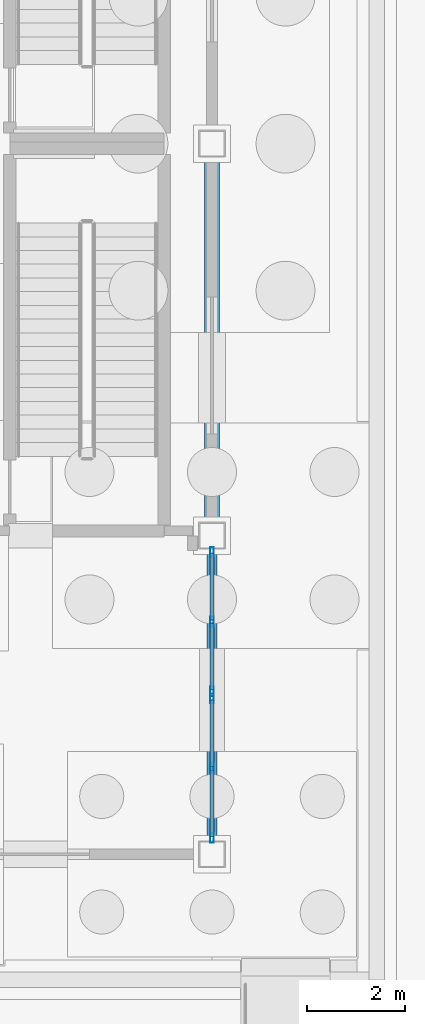
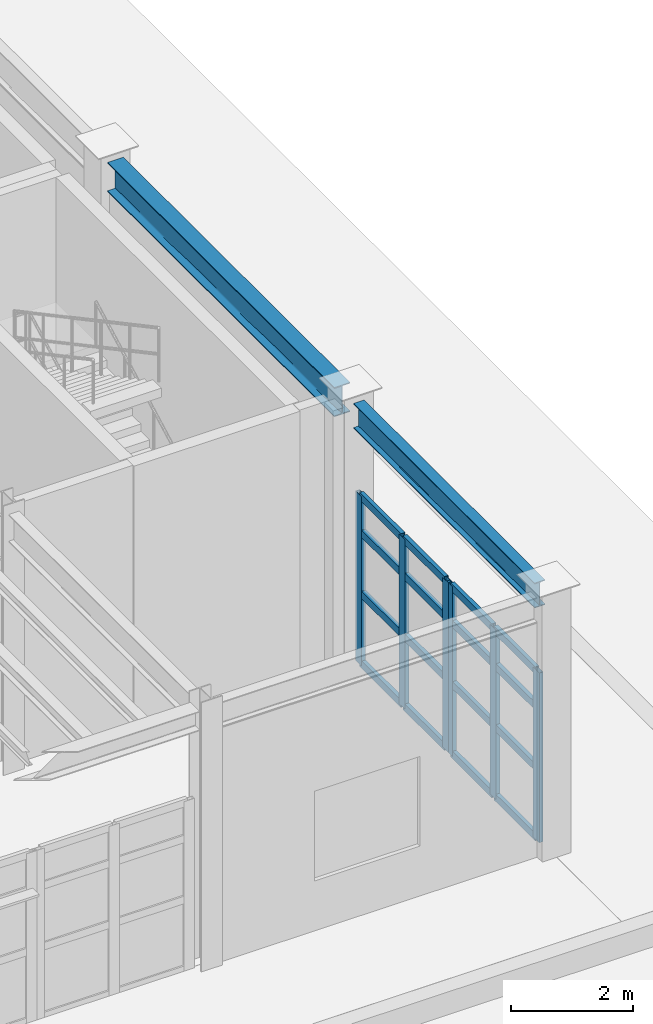
# One storey, part 41 of 86: 22 members, 2 beams, 2 elements without a shape of their own.
"""IFC4 building model written with IfcOpenShell, lengths in metres."""

from ifc_helpers import new_model, si_unit, direction, frame, origin, origin_2d, place, context, subcontext, project, spatial, hollow_rectangle, i_section, extrude, material, material_profile, profile_set, type_object, element, aggregate, save


model = new_model("IFC4")

# Units and contexts
model_context = context("Model", 3, precision=1e-05, world=origin(), true_north=direction((0.0, 1.0)))
body_context = subcontext(model_context, "Body", "Model", "MODEL_VIEW")
ifc_project = project(units=[si_unit("LENGTHUNIT", "METRE"), si_unit("AREAUNIT", "SQUARE_METRE"), si_unit("VOLUMEUNIT", "CUBIC_METRE"), si_unit("PLANEANGLEUNIT", "RADIAN"), si_unit("MASSUNIT", "GRAM", prefix="KILO"), si_unit("THERMODYNAMICTEMPERATUREUNIT", "KELVIN"), si_unit("POWERUNIT", "WATT")], contexts=[model_context])

# Site, building, storey
site_placement = place(None, origin())
site = spatial("IfcSite", under=ifc_project, at=site_placement, CompositionType="ELEMENT")
building_placement = place(site_placement, origin())
building = spatial("IfcBuilding", under=site, at=building_placement, Name="Zhenchuan Central Fire Station", CompositionType="ELEMENT")
storey_placement = place(building_placement, frame((0.0, 0.0, 0.449951171875)))
storey = spatial("IfcBuildingStorey", under=building, at=storey_placement, Name="L01", CompositionType="ELEMENT", Elevation=0.449951171875)

# Beam
ifc_material_1 = material(Name="Steel Q355B", Category="steel")
ifc_material_profile_1 = material_profile(ifc_material_1, i_section(OverallWidth=0.300048828125, OverallDepth=0.587890625, WebThickness=0.011962890625, FlangeThickness=0.02001953125, FilletRadius=0.02392578125, at=origin_2d()), Name="HM 588x300")
ifc_profile_set_1 = profile_set([ifc_material_profile_1], Name="Steel Q355B")
beam_type_1 = type_object("IfcBeamType", Name="BM-HM588-EXT", PredefinedType="BEAM", material=ifc_profile_set_1)
beam_1_placement = place(storey_placement, frame((161.0, 6.77490234375, 4.906005859375), z_axis=(0.0, 1.0, 0.0), x_axis=(-1.0, 0.0, 0.0)))
element("IfcBeam", 1, at=beam_1_placement, inside=storey, type_object=beam_type_1, Name="L02 Girder NS 0176", PredefinedType="BEAM", context=body_context, shape_type="SweptSolid", body=[
    extrude(i_section(OverallWidth=0.300048828125, OverallDepth=0.587890625, WebThickness=0.011962890625, FlangeThickness=0.02001953125, FilletRadius=0.02392578125, at=origin_2d()), origin(), (0.0, 0.0, 1.0), 7.4501953125),
])

# Curtain wall, members
ifc_material_2 = material(Name="Anodised aluminium and low-E glazing", Category="aluminium")
curtain_wall_type_1 = type_object("IfcCurtainWallType", Name="CW-MOD-01", PredefinedType="USERDEFINED", material=ifc_material_2)
curtain_wall_1_placement = place(storey_placement, origin())
curtain_wall_1 = element("IfcCurtainWall", 2, at=curtain_wall_1_placement, inside=storey, type_object=curtain_wall_type_1, Name="L01 Unitised Curtain Wall 074", ObjectType="UNITISED GLAZING", PredefinedType="USERDEFINED")
ifc_material_3 = material(Name="Anodised aluminium EN AW-6063", Category="aluminium")
ifc_material_profile_2 = material_profile(ifc_material_3, hollow_rectangle(XDim=0.074951171875, YDim=0.199951171875, WallThickness=0.0048828125, at=origin_2d()), Name="ALU-M 200x75")
ifc_profile_set_2 = profile_set([ifc_material_profile_2], Name="Anodised aluminium EN AW-6063")
member_type_1 = type_object("IfcMemberType", Name="CW-MUL160", PredefinedType="MULLION", material=ifc_profile_set_2)
member_1_placement = place(storey_placement, frame((161.0, 0.33251953125, -0.00390625), z_axis=(0.0, 0.0, 1.0), x_axis=(-1.0, 0.0, 0.0)))
member_1 = element("IfcMember", 3, at=member_1_placement, type_object=member_type_1, Name="CW-01 mullion 1", PredefinedType="MULLION", context=body_context, shape_type="SweptSolid", body=[
    extrude(hollow_rectangle(XDim=0.074951171875, YDim=0.199951171875, WallThickness=0.0048828125, at=origin_2d()), origin(), (0.0, 0.0, 1.0), 3.404052734375),
])
member_2_placement = place(storey_placement, frame((161.0, 1.756103515625, -0.00390625), z_axis=(0.0, 0.0, 1.0), x_axis=(-1.0, 0.0, 0.0)))
member_2 = element("IfcMember", 4, at=member_2_placement, type_object=member_type_1, Name="CW-01 mullion 2", PredefinedType="MULLION", context=body_context, shape_type="SweptSolid", body=[
    extrude(hollow_rectangle(XDim=0.074951171875, YDim=0.199951171875, WallThickness=0.0048828125, at=origin_2d()), origin(), (0.0, 0.0, 1.0), 3.404052734375),
])
member_3_placement = place(storey_placement, frame((161.0, 3.179443359375, -0.00390625), z_axis=(0.0, 0.0, 1.0), x_axis=(-1.0, 0.0, 0.0)))
member_3 = element("IfcMember", 5, at=member_3_placement, type_object=member_type_1, Name="CW-01 mullion 3", PredefinedType="MULLION", context=body_context, shape_type="SweptSolid", body=[
    extrude(hollow_rectangle(XDim=0.074951171875, YDim=0.199951171875, WallThickness=0.0048828125, at=origin_2d()), origin(), (0.0, 0.0, 1.0), 3.404052734375),
])

curtain_wall_type_2 = type_object("IfcCurtainWallType", Name="CW-MOD-02", PredefinedType="USERDEFINED", material=ifc_material_2)
curtain_wall_2_placement = place(storey_placement, origin())
curtain_wall_2 = element("IfcCurtainWall", 6, at=curtain_wall_2_placement, inside=storey, type_object=curtain_wall_type_2, Name="L01 Unitised Curtain Wall 075", ObjectType="UNITISED GLAZING", PredefinedType="USERDEFINED")
member_4_placement = place(storey_placement, frame((161.0, 3.320556640625, -0.00390625), z_axis=(0.0, 0.0, 1.0), x_axis=(-1.0, 0.0, 0.0)))
member_4 = element("IfcMember", 7, at=member_4_placement, type_object=member_type_1, Name="CW-02 mullion 1", PredefinedType="MULLION", context=body_context, shape_type="SweptSolid", body=[
    extrude(hollow_rectangle(XDim=0.074951171875, YDim=0.199951171875, WallThickness=0.0048828125, at=origin_2d()), origin(), (0.0, 0.0, 1.0), 3.404052734375),
])
member_5_placement = place(storey_placement, frame((161.0, 4.743896484375, -0.00390625), z_axis=(0.0, 0.0, 1.0), x_axis=(-1.0, 0.0, 0.0)))
member_5 = element("IfcMember", 8, at=member_5_placement, type_object=member_type_1, Name="CW-02 mullion 2", PredefinedType="MULLION", context=body_context, shape_type="SweptSolid", body=[
    extrude(hollow_rectangle(XDim=0.074951171875, YDim=0.199951171875, WallThickness=0.0048828125, at=origin_2d()), origin(), (0.0, 0.0, 1.0), 3.404052734375),
])
member_6_placement = place(storey_placement, frame((161.0, 6.16748046875, -0.00390625), z_axis=(0.0, 0.0, 1.0), x_axis=(-1.0, 0.0, 0.0)))
member_6 = element("IfcMember", 9, at=member_6_placement, type_object=member_type_1, Name="CW-02 mullion 3", PredefinedType="MULLION", context=body_context, shape_type="SweptSolid", body=[
    extrude(hollow_rectangle(XDim=0.074951171875, YDim=0.199951171875, WallThickness=0.0048828125, at=origin_2d()), origin(), (0.0, 0.0, 1.0), 3.404052734375),
])

# Member
ifc_material_profile_3 = material_profile(ifc_material_3, hollow_rectangle(XDim=0.074951171875, YDim=0.14990234375, WallThickness=0.0048828125, at=origin_2d()), Name="ALU-T 150x75")
ifc_profile_set_3 = profile_set([ifc_material_profile_3], Name="Anodised aluminium EN AW-6063")
member_type_2 = type_object("IfcMemberType", Name="CW-TRN130", PredefinedType="NOTDEFINED", material=ifc_profile_set_3)
member_7_placement = place(storey_placement, frame((161.0, 0.364990234375, 0.028564453125), z_axis=(0.0, 1.0, 0.0), x_axis=(-1.0, 0.0, 0.0)))
member_7 = element("IfcMember", 10, at=member_7_placement, type_object=member_type_2, Name="CW-01 transom 1.1", ObjectType="TRANSOM", PredefinedType="USERDEFINED", context=body_context, shape_type="SweptSolid", body=[
    extrude(hollow_rectangle(XDim=0.074951171875, YDim=0.14990234375, WallThickness=0.0048828125, at=origin_2d()), origin(), (0.0, 0.0, 1.0), 1.3583984375),
])

member_8_placement = place(storey_placement, frame((161.0, 0.364990234375, 1.427978515625), z_axis=(0.0, 1.0, 0.0), x_axis=(-1.0, 0.0, 0.0)))
member_8 = element("IfcMember", 11, at=member_8_placement, type_object=member_type_2, Name="CW-01 transom 1.2", ObjectType="TRANSOM", PredefinedType="USERDEFINED", context=body_context, shape_type="SweptSolid", body=[
    extrude(hollow_rectangle(XDim=0.074951171875, YDim=0.14990234375, WallThickness=0.0048828125, at=origin_2d()), origin(), (0.0, 0.0, 1.0), 1.3583984375),
])

member_9_placement = place(storey_placement, frame((161.0, 0.364990234375, 2.652099609375), z_axis=(0.0, 1.0, 0.0), x_axis=(-1.0, 0.0, 0.0)))
member_9 = element("IfcMember", 12, at=member_9_placement, type_object=member_type_2, Name="CW-01 transom 1.3", ObjectType="TRANSOM", PredefinedType="USERDEFINED", context=body_context, shape_type="SweptSolid", body=[
    extrude(hollow_rectangle(XDim=0.074951171875, YDim=0.14990234375, WallThickness=0.0048828125, at=origin_2d()), origin(), (0.0, 0.0, 1.0), 1.3583984375),
])

member_10_placement = place(storey_placement, frame((161.0, 0.364990234375, 3.367431640625), z_axis=(0.0, 1.0, 0.0), x_axis=(-1.0, 0.0, 0.0)))
member_10 = element("IfcMember", 13, at=member_10_placement, type_object=member_type_2, Name="CW-01 transom 1.4", ObjectType="TRANSOM", PredefinedType="USERDEFINED", context=body_context, shape_type="SweptSolid", body=[
    extrude(hollow_rectangle(XDim=0.074951171875, YDim=0.14990234375, WallThickness=0.0048828125, at=origin_2d()), origin(), (0.0, 0.0, 1.0), 1.3583984375),
])

member_11_placement = place(storey_placement, frame((161.0, 1.78857421875, 0.028564453125), z_axis=(0.0, 1.0, 0.0), x_axis=(-1.0, 0.0, 0.0)))
member_11 = element("IfcMember", 14, at=member_11_placement, type_object=member_type_2, Name="CW-01 transom 2.1", ObjectType="TRANSOM", PredefinedType="USERDEFINED", context=body_context, shape_type="SweptSolid", body=[
    extrude(hollow_rectangle(XDim=0.074951171875, YDim=0.14990234375, WallThickness=0.0048828125, at=origin_2d()), origin(), (0.0, 0.0, 1.0), 1.3583984375),
])

member_12_placement = place(storey_placement, frame((161.0, 1.78857421875, 1.427978515625), z_axis=(0.0, 1.0, 0.0), x_axis=(-1.0, 0.0, 0.0)))
member_12 = element("IfcMember", 15, at=member_12_placement, type_object=member_type_2, Name="CW-01 transom 2.2", ObjectType="TRANSOM", PredefinedType="USERDEFINED", context=body_context, shape_type="SweptSolid", body=[
    extrude(hollow_rectangle(XDim=0.074951171875, YDim=0.14990234375, WallThickness=0.0048828125, at=origin_2d()), origin(), (0.0, 0.0, 1.0), 1.3583984375),
])

member_13_placement = place(storey_placement, frame((161.0, 1.78857421875, 2.652099609375), z_axis=(0.0, 1.0, 0.0), x_axis=(-1.0, 0.0, 0.0)))
member_13 = element("IfcMember", 16, at=member_13_placement, type_object=member_type_2, Name="CW-01 transom 2.3", ObjectType="TRANSOM", PredefinedType="USERDEFINED", context=body_context, shape_type="SweptSolid", body=[
    extrude(hollow_rectangle(XDim=0.074951171875, YDim=0.14990234375, WallThickness=0.0048828125, at=origin_2d()), origin(), (0.0, 0.0, 1.0), 1.3583984375),
])

member_14_placement = place(storey_placement, frame((161.0, 1.78857421875, 3.367431640625), z_axis=(0.0, 1.0, 0.0), x_axis=(-1.0, 0.0, 0.0)))
member_14 = element("IfcMember", 17, at=member_14_placement, type_object=member_type_2, Name="CW-01 transom 2.4", ObjectType="TRANSOM", PredefinedType="USERDEFINED", context=body_context, shape_type="SweptSolid", body=[
    extrude(hollow_rectangle(XDim=0.074951171875, YDim=0.14990234375, WallThickness=0.0048828125, at=origin_2d()), origin(), (0.0, 0.0, 1.0), 1.3583984375),
])

aggregate(curtain_wall_1, [member_1, member_2, member_3, member_7, member_8, member_9, member_10, member_11, member_12, member_13, member_14])

member_15_placement = place(storey_placement, frame((161.0, 3.35302734375, 0.028564453125), z_axis=(0.0, 1.0, 0.0), x_axis=(-1.0, 0.0, 0.0)))
member_15 = element("IfcMember", 18, at=member_15_placement, type_object=member_type_2, Name="CW-02 transom 1.1", ObjectType="TRANSOM", PredefinedType="USERDEFINED", context=body_context, shape_type="SweptSolid", body=[
    extrude(hollow_rectangle(XDim=0.074951171875, YDim=0.14990234375, WallThickness=0.0048828125, at=origin_2d()), origin(), (0.0, 0.0, 1.0), 1.3583984375),
])

member_16_placement = place(storey_placement, frame((161.0, 3.35302734375, 1.427978515625), z_axis=(0.0, 1.0, 0.0), x_axis=(-1.0, 0.0, 0.0)))
member_16 = element("IfcMember", 19, at=member_16_placement, type_object=member_type_2, Name="CW-02 transom 1.2", ObjectType="TRANSOM", PredefinedType="USERDEFINED", context=body_context, shape_type="SweptSolid", body=[
    extrude(hollow_rectangle(XDim=0.074951171875, YDim=0.14990234375, WallThickness=0.0048828125, at=origin_2d()), origin(), (0.0, 0.0, 1.0), 1.3583984375),
])

member_17_placement = place(storey_placement, frame((161.0, 3.35302734375, 2.652099609375), z_axis=(0.0, 1.0, 0.0), x_axis=(-1.0, 0.0, 0.0)))
member_17 = element("IfcMember", 20, at=member_17_placement, type_object=member_type_2, Name="CW-02 transom 1.3", ObjectType="TRANSOM", PredefinedType="USERDEFINED", context=body_context, shape_type="SweptSolid", body=[
    extrude(hollow_rectangle(XDim=0.074951171875, YDim=0.14990234375, WallThickness=0.0048828125, at=origin_2d()), origin(), (0.0, 0.0, 1.0), 1.3583984375),
])

member_18_placement = place(storey_placement, frame((161.0, 3.35302734375, 3.367431640625), z_axis=(0.0, 1.0, 0.0), x_axis=(-1.0, 0.0, 0.0)))
member_18 = element("IfcMember", 21, at=member_18_placement, type_object=member_type_2, Name="CW-02 transom 1.4", ObjectType="TRANSOM", PredefinedType="USERDEFINED", context=body_context, shape_type="SweptSolid", body=[
    extrude(hollow_rectangle(XDim=0.074951171875, YDim=0.14990234375, WallThickness=0.0048828125, at=origin_2d()), origin(), (0.0, 0.0, 1.0), 1.3583984375),
])

member_19_placement = place(storey_placement, frame((161.0, 4.776611328125, 0.028564453125), z_axis=(0.0, 1.0, 0.0), x_axis=(-1.0, 0.0, 0.0)))
member_19 = element("IfcMember", 22, at=member_19_placement, type_object=member_type_2, Name="CW-02 transom 2.1", ObjectType="TRANSOM", PredefinedType="USERDEFINED", context=body_context, shape_type="SweptSolid", body=[
    extrude(hollow_rectangle(XDim=0.074951171875, YDim=0.14990234375, WallThickness=0.0048828125, at=origin_2d()), origin(), (0.0, 0.0, 1.0), 1.3583984375),
])

member_20_placement = place(storey_placement, frame((161.0, 4.776611328125, 1.427978515625), z_axis=(0.0, 1.0, 0.0), x_axis=(-1.0, 0.0, 0.0)))
member_20 = element("IfcMember", 23, at=member_20_placement, type_object=member_type_2, Name="CW-02 transom 2.2", ObjectType="TRANSOM", PredefinedType="USERDEFINED", context=body_context, shape_type="SweptSolid", body=[
    extrude(hollow_rectangle(XDim=0.074951171875, YDim=0.14990234375, WallThickness=0.0048828125, at=origin_2d()), origin(), (0.0, 0.0, 1.0), 1.3583984375),
])

member_21_placement = place(storey_placement, frame((161.0, 4.776611328125, 2.652099609375), z_axis=(0.0, 1.0, 0.0), x_axis=(-1.0, 0.0, 0.0)))
member_21 = element("IfcMember", 24, at=member_21_placement, type_object=member_type_2, Name="CW-02 transom 2.3", ObjectType="TRANSOM", PredefinedType="USERDEFINED", context=body_context, shape_type="SweptSolid", body=[
    extrude(hollow_rectangle(XDim=0.074951171875, YDim=0.14990234375, WallThickness=0.0048828125, at=origin_2d()), origin(), (0.0, 0.0, 1.0), 1.3583984375),
])

member_22_placement = place(storey_placement, frame((161.0, 4.776611328125, 3.367431640625), z_axis=(0.0, 1.0, 0.0), x_axis=(-1.0, 0.0, 0.0)))
member_22 = element("IfcMember", 25, at=member_22_placement, type_object=member_type_2, Name="CW-02 transom 2.4", ObjectType="TRANSOM", PredefinedType="USERDEFINED", context=body_context, shape_type="SweptSolid", body=[
    extrude(hollow_rectangle(XDim=0.074951171875, YDim=0.14990234375, WallThickness=0.0048828125, at=origin_2d()), origin(), (0.0, 0.0, 1.0), 1.3583984375),
])

aggregate(curtain_wall_2, [member_4, member_5, member_6, member_15, member_16, member_17, member_18, member_19, member_20, member_21, member_22])

# Beam
ifc_material_profile_4 = material_profile(ifc_material_1, i_section(OverallWidth=0.199951171875, OverallDepth=0.5, WebThickness=0.010009765625, FlangeThickness=0.01611328125, FilletRadius=0.02001953125, at=origin_2d()), Name="HN 500x200")
ifc_profile_set_4 = profile_set([ifc_material_profile_4], Name="Steel Q355B")
beam_type_2 = type_object("IfcBeamType", Name="SP-HN500", PredefinedType="SPANDREL", material=ifc_profile_set_4)
beam_2_placement = place(storey_placement, frame((161.0, 0.27490234375, 4.949951171875), z_axis=(0.0, 1.0, 0.0), x_axis=(-1.0, 0.0, 0.0)))
element("IfcBeam", 26, at=beam_2_placement, inside=storey, type_object=beam_type_2, Name="L02 Girder NS 0175", PredefinedType="SPANDREL", context=body_context, shape_type="SweptSolid", body=[
    extrude(i_section(OverallWidth=0.199951171875, OverallDepth=0.5, WebThickness=0.010009765625, FlangeThickness=0.01611328125, FilletRadius=0.02001953125, at=origin_2d()), origin(), (0.0, 0.0, 1.0), 5.9501953125),
])

save(model, "model.ifc")
